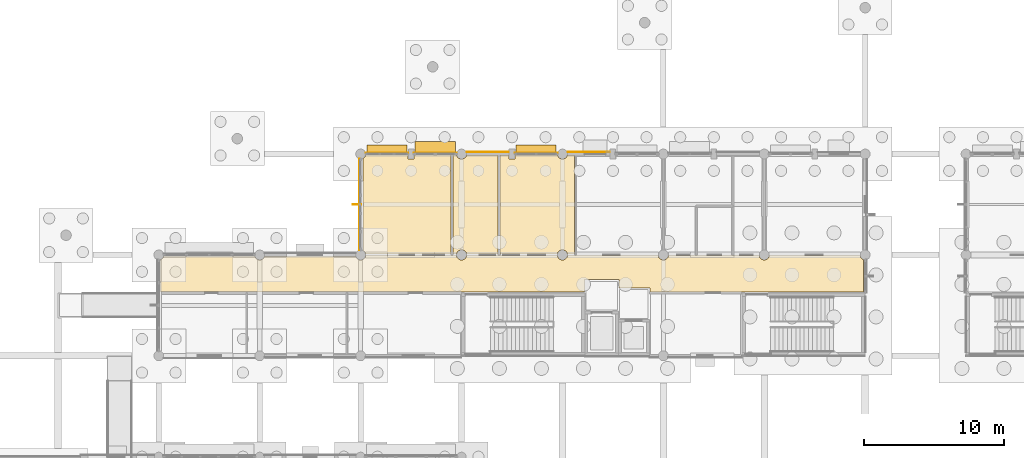
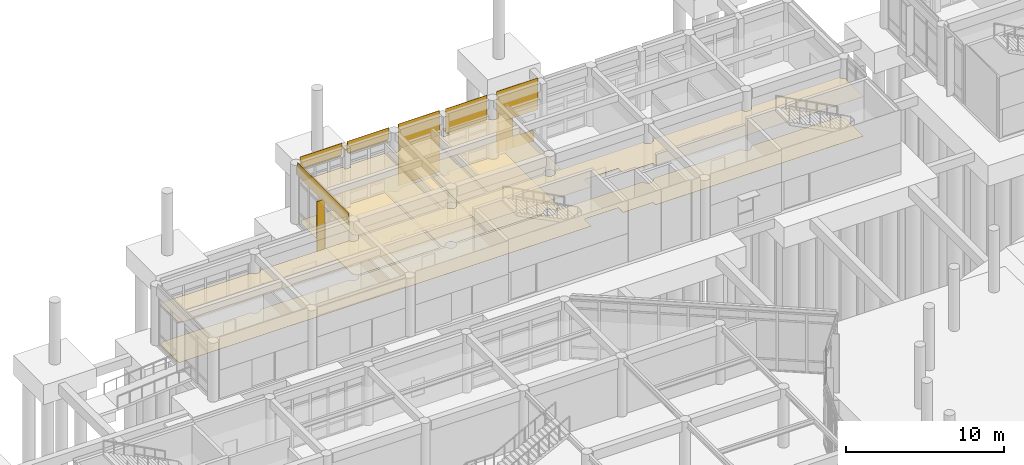
# One storey, part 91 of 103: 16 coverings, 4 shading devices.
"""IFC4 building model written with IfcOpenShell, lengths in metres."""

from ifc_helpers import new_model, si_unit, direction, frame, origin, origin_2d, place, context, subcontext, project, spatial, polyline, rectangle, outline, extrude, material, layer, layer_set, type_object, element, save


model = new_model("IFC4")

# Units and contexts
model_context = context("Model", 3, precision=1e-05, world=origin(), true_north=direction((0.0, 1.0)))
body_context = subcontext(model_context, "Body", "Model", "MODEL_VIEW")
ifc_project = project(units=[si_unit("LENGTHUNIT", "METRE"), si_unit("AREAUNIT", "SQUARE_METRE"), si_unit("VOLUMEUNIT", "CUBIC_METRE"), si_unit("PLANEANGLEUNIT", "RADIAN"), si_unit("MASSUNIT", "GRAM", prefix="KILO")], contexts=[model_context])

# Site, building, storey
site_placement = place(None, origin())
site = spatial("IfcSite", under=ifc_project, at=site_placement, CompositionType="ELEMENT")
building_placement = place(site_placement, origin())
building = spatial("IfcBuilding", under=site, at=building_placement, Name="Namkhue Oval Health Centre", CompositionType="ELEMENT")
storey_placement = place(building_placement, origin())
storey = spatial("IfcBuildingStorey", under=building, at=storey_placement, Name="L00", CompositionType="ELEMENT", Elevation=0.0)

# Coverings
ifc_material_1 = material(Name="Acoustic mineral-fibre cleanroom ceiling", Category="gypsum")
ifc_layer_1 = layer(ifc_material_1, 0.02001953125)
ifc_layer_set_1 = layer_set([ifc_layer_1], Name="Acoustic mineral-fibre cleanroom ceiling")
covering_type_1 = type_object("IfcCoveringType", Name="ACOUSTIC CLEANROOM CEILING 20", PredefinedType="CEILING", material=ifc_layer_set_1)
covering_1_placement = place(storey_placement, frame((0.0, 0.0, 3.050048828125)))
element("IfcCovering", 1, at=covering_1_placement, inside=storey, type_object=covering_type_1, Name="Acoustic Ceiling L00-V2-C1 V2 Clinical Corridor", PredefinedType="CEILING", context=body_context, shape_type="SweptSolid", body=[
    extrude(outline(polyline([(57.245361328125, 97.159912109375), (57.252197265625, 97.106689453125), (57.2880859375, 97.02001953125), (57.345458984375, 96.9453125), (57.419921875, 96.88818359375), (57.5068359375, 96.852294921875), (57.60009765625, 96.840087890625), (57.693115234375, 96.852294921875), (57.780029296875, 96.88818359375), (57.8544921875, 96.9453125), (57.911865234375, 97.02001953125), (57.94775390625, 97.106689453125), (57.95458984375, 97.159912109375), (64.4453125, 97.159912109375), (64.452392578125, 97.106689453125), (64.48828125, 97.02001953125), (64.54541015625, 96.9453125), (64.6201171875, 96.88818359375), (64.706787109375, 96.852294921875), (64.800048828125, 96.840087890625), (64.893310546875, 96.852294921875), (64.97998046875, 96.88818359375), (65.0546875, 96.9453125), (65.11181640625, 97.02001953125), (65.147705078125, 97.106689453125), (65.15478515625, 97.159912109375), (71.645263671875, 97.159912109375), (71.65234375, 97.106689453125), (71.688232421875, 97.02001953125), (71.745361328125, 96.9453125), (71.820068359375, 96.88818359375), (71.90673828125, 96.852294921875), (72.0, 96.840087890625), (72.09326171875, 96.852294921875), (72.179931640625, 96.88818359375), (72.254638671875, 96.9453125), (72.311767578125, 97.02001953125), (72.34765625, 97.106689453125), (72.354736328125, 97.159912109375), (78.84521484375, 97.159912109375), (78.852294921875, 97.106689453125), (78.88818359375, 97.02001953125), (78.9453125, 96.9453125), (79.02001953125, 96.88818359375), (79.106689453125, 96.852294921875), (79.199951171875, 96.840087890625), (79.293212890625, 96.852294921875), (79.3798828125, 96.88818359375), (79.45458984375, 96.9453125), (79.51171875, 97.02001953125), (79.547607421875, 97.106689453125), (79.5546875, 97.159912109375), (86.04541015625, 97.159912109375), (86.05224609375, 97.106689453125), (86.088134765625, 97.02001953125), (86.1455078125, 96.9453125), (86.219970703125, 96.88818359375), (86.27490234375, 96.865478515625), (86.27490234375, 94.5400390625), (71.0400390625, 94.5400390625), (71.039794921875, 94.803955078125), (71.037109375, 94.815185546875), (71.0283203125, 94.828369140625), (71.015380859375, 94.8369140625), (71.00390625, 94.83984375), (68.840087890625, 94.840087890625), (68.83984375, 95.40380859375), (68.8369140625, 95.415283203125), (68.828369140625, 95.42822265625), (68.815185546875, 95.43701171875), (68.800048828125, 95.43994140625), (66.39990234375, 95.43994140625), (66.384765625, 95.43701171875), (66.36669921875, 95.422119140625), (66.360107421875, 95.39990234375), (66.360107421875, 94.5400390625), (36.125, 94.5400390625), (36.125, 96.865478515625), (36.179931640625, 96.88818359375), (36.254638671875, 96.9453125), (36.311767578125, 97.02001953125), (36.334716796875, 97.074951171875), (42.865478515625, 97.074951171875), (42.88818359375, 97.02001953125), (42.9453125, 96.9453125), (43.02001953125, 96.88818359375), (43.106689453125, 96.852294921875), (43.199951171875, 96.840087890625), (43.293212890625, 96.852294921875), (43.3798828125, 96.88818359375), (43.45458984375, 96.9453125), (43.51171875, 97.02001953125), (43.53466796875, 97.074951171875), (50.0654296875, 97.074951171875), (50.088134765625, 97.02001953125), (50.1455078125, 96.9453125), (50.219970703125, 96.88818359375), (50.306884765625, 96.852294921875), (50.39990234375, 96.840087890625), (50.4931640625, 96.852294921875), (50.580078125, 96.88818359375), (50.654541015625, 96.9453125), (50.7119140625, 97.02001953125), (50.747802734375, 97.106689453125), (50.754638671875, 97.159912109375), (57.245361328125, 97.159912109375)])), origin(), (0.0, 0.0, 1.0), 0.02001953125),
])
covering_2_placement = place(storey_placement, frame((0.0, 0.0, 3.050048828125)))
element("IfcCovering", 2, at=covering_2_placement, inside=storey, type_object=covering_type_1, Name="Acoustic Ceiling L00-201 Infectious Isolation Clinic", PredefinedType="CEILING", context=body_context, shape_type="SweptSolid", body=[
    extrude(outline(polyline([(50.74951171875, 97.280029296875), (50.747802734375, 97.293212890625), (50.7119140625, 97.3798828125), (50.654541015625, 97.45458984375), (50.580078125, 97.51171875), (50.554931640625, 97.522216796875), (50.554931640625, 104.077880859375), (50.580078125, 104.088134765625), (50.654541015625, 104.1455078125), (50.7119140625, 104.219970703125), (50.748779296875, 104.31494140625), (53.7900390625, 104.31494140625), (53.7900390625, 104.0400390625), (54.2099609375, 104.0400390625), (54.2099609375, 104.31494140625), (56.85009765625, 104.31494140625), (56.85009765625, 97.280029296875), (50.74951171875, 97.280029296875)])), origin(), (0.0, 0.0, 1.0), 0.02001953125),
])
covering_3_placement = place(storey_placement, frame((0.0, 0.0, 3.050048828125)))
element("IfcCovering", 3, at=covering_3_placement, inside=storey, type_object=covering_type_1, Name="Acoustic Ceiling L00-202 Clean Medical Supply Store", PredefinedType="CEILING", context=body_context, shape_type="SweptSolid", body=[
    extrude(outline(polyline([(57.949462890625, 97.280029296875), (57.94775390625, 97.293212890625), (57.911865234375, 97.3798828125), (57.8544921875, 97.45458984375), (57.780029296875, 97.51171875), (57.693115234375, 97.547607421875), (57.60009765625, 97.56005859375), (57.5068359375, 97.547607421875), (57.419921875, 97.51171875), (57.345458984375, 97.45458984375), (57.2880859375, 97.3798828125), (57.252197265625, 97.293212890625), (57.25048828125, 97.280029296875), (56.989990234375, 97.280029296875), (56.989990234375, 104.31494140625), (57.251220703125, 104.31494140625), (57.2880859375, 104.219970703125), (57.345458984375, 104.1455078125), (57.419921875, 104.088134765625), (57.5068359375, 104.05224609375), (57.60009765625, 104.0400390625), (57.693115234375, 104.05224609375), (57.780029296875, 104.088134765625), (57.8544921875, 104.1455078125), (57.911865234375, 104.219970703125), (57.94873046875, 104.31494140625), (60.217041015625, 104.31494140625), (60.217041015625, 97.280029296875), (57.949462890625, 97.280029296875)])), origin(), (0.0, 0.0, 1.0), 0.02001953125),
])
covering_4_placement = place(storey_placement, frame((0.0, 0.0, 3.050048828125)))
element("IfcCovering", 4, at=covering_4_placement, inside=storey, type_object=covering_type_1, Name="Acoustic Ceiling L00-203 Paediatric Consultation Room", PredefinedType="CEILING", context=body_context, shape_type="SweptSolid", body=[
    extrude(outline(polyline([(65.1494140625, 97.280029296875), (65.147705078125, 97.293212890625), (65.11181640625, 97.3798828125), (65.0546875, 97.45458984375), (64.97998046875, 97.51171875), (64.893310546875, 97.547607421875), (64.800048828125, 97.56005859375), (64.706787109375, 97.547607421875), (64.6201171875, 97.51171875), (64.54541015625, 97.45458984375), (64.48828125, 97.3798828125), (64.452392578125, 97.293212890625), (64.450439453125, 97.280029296875), (60.35693359375, 97.280029296875), (60.35693359375, 104.31494140625), (60.989990234375, 104.31494140625), (60.989990234375, 104.0400390625), (61.409912109375, 104.0400390625), (61.409912109375, 104.31494140625), (64.451171875, 104.31494140625), (64.48828125, 104.219970703125), (64.54541015625, 104.1455078125), (64.6201171875, 104.088134765625), (64.706787109375, 104.05224609375), (64.800048828125, 104.0400390625), (64.893310546875, 104.05224609375), (64.97998046875, 104.088134765625), (65.0546875, 104.1455078125), (65.11181640625, 104.219970703125), (65.148681640625, 104.31494140625), (65.660888671875, 104.31494140625), (65.660888671875, 97.280029296875), (65.1494140625, 97.280029296875)])), origin(), (0.0, 0.0, 1.0), 0.02001953125),
])
ifc_material_2 = material(Name="Homogeneous anti-bacterial clinical vinyl flooring", Category="plastic")
ifc_layer_2 = layer(ifc_material_2, 0.014892578125)
ifc_layer_set_2 = layer_set([ifc_layer_2], Name="Homogeneous anti-bacterial clinical vinyl flooring")
covering_type_2 = type_object("IfcCoveringType", Name="CLINICAL ANTIBACTERIAL VINYL FLOORING 15", PredefinedType="FLOORING", material=ifc_layer_set_2)
covering_5_placement = place(storey_placement, origin())
element("IfcCovering", 5, at=covering_5_placement, inside=storey, type_object=covering_type_2, Name="Clinical Flooring L00-V2-C1 V2 Clinical Corridor", PredefinedType="FLOORING", context=body_context, shape_type="SweptSolid", body=[
    extrude(outline(polyline([(57.245361328125, 97.159912109375), (57.252197265625, 97.106689453125), (57.2880859375, 97.02001953125), (57.345458984375, 96.9453125), (57.419921875, 96.88818359375), (57.5068359375, 96.852294921875), (57.60009765625, 96.840087890625), (57.693115234375, 96.852294921875), (57.780029296875, 96.88818359375), (57.8544921875, 96.9453125), (57.911865234375, 97.02001953125), (57.94775390625, 97.106689453125), (57.95458984375, 97.159912109375), (64.4453125, 97.159912109375), (64.452392578125, 97.106689453125), (64.48828125, 97.02001953125), (64.54541015625, 96.9453125), (64.6201171875, 96.88818359375), (64.706787109375, 96.852294921875), (64.800048828125, 96.840087890625), (64.893310546875, 96.852294921875), (64.97998046875, 96.88818359375), (65.0546875, 96.9453125), (65.11181640625, 97.02001953125), (65.147705078125, 97.106689453125), (65.15478515625, 97.159912109375), (71.645263671875, 97.159912109375), (71.65234375, 97.106689453125), (71.688232421875, 97.02001953125), (71.745361328125, 96.9453125), (71.820068359375, 96.88818359375), (71.90673828125, 96.852294921875), (72.0, 96.840087890625), (72.09326171875, 96.852294921875), (72.179931640625, 96.88818359375), (72.254638671875, 96.9453125), (72.311767578125, 97.02001953125), (72.34765625, 97.106689453125), (72.354736328125, 97.159912109375), (78.84521484375, 97.159912109375), (78.852294921875, 97.106689453125), (78.88818359375, 97.02001953125), (78.9453125, 96.9453125), (79.02001953125, 96.88818359375), (79.106689453125, 96.852294921875), (79.199951171875, 96.840087890625), (79.293212890625, 96.852294921875), (79.3798828125, 96.88818359375), (79.45458984375, 96.9453125), (79.51171875, 97.02001953125), (79.547607421875, 97.106689453125), (79.5546875, 97.159912109375), (86.04541015625, 97.159912109375), (86.05224609375, 97.106689453125), (86.088134765625, 97.02001953125), (86.1455078125, 96.9453125), (86.219970703125, 96.88818359375), (86.27490234375, 96.865478515625), (86.27490234375, 94.5400390625), (71.0400390625, 94.5400390625), (71.039794921875, 94.803955078125), (71.037109375, 94.815185546875), (71.0283203125, 94.828369140625), (71.015380859375, 94.8369140625), (71.00390625, 94.83984375), (68.840087890625, 94.840087890625), (68.83984375, 95.40380859375), (68.8369140625, 95.415283203125), (68.828369140625, 95.42822265625), (68.815185546875, 95.43701171875), (68.800048828125, 95.43994140625), (66.39990234375, 95.43994140625), (66.384765625, 95.43701171875), (66.36669921875, 95.422119140625), (66.360107421875, 95.39990234375), (66.360107421875, 94.5400390625), (36.125, 94.5400390625), (36.125, 96.865478515625), (36.179931640625, 96.88818359375), (36.254638671875, 96.9453125), (36.311767578125, 97.02001953125), (36.334716796875, 97.074951171875), (42.865478515625, 97.074951171875), (42.88818359375, 97.02001953125), (42.9453125, 96.9453125), (43.02001953125, 96.88818359375), (43.106689453125, 96.852294921875), (43.199951171875, 96.840087890625), (43.293212890625, 96.852294921875), (43.3798828125, 96.88818359375), (43.45458984375, 96.9453125), (43.51171875, 97.02001953125), (43.53466796875, 97.074951171875), (50.0654296875, 97.074951171875), (50.088134765625, 97.02001953125), (50.1455078125, 96.9453125), (50.219970703125, 96.88818359375), (50.306884765625, 96.852294921875), (50.39990234375, 96.840087890625), (50.4931640625, 96.852294921875), (50.580078125, 96.88818359375), (50.654541015625, 96.9453125), (50.7119140625, 97.02001953125), (50.747802734375, 97.106689453125), (50.754638671875, 97.159912109375), (57.245361328125, 97.159912109375)])), origin(), (0.0, 0.0, 1.0), 0.014892578125),
])
covering_6_placement = place(storey_placement, origin())
element("IfcCovering", 6, at=covering_6_placement, inside=storey, type_object=covering_type_2, Name="Clinical Flooring L00-201 Infectious Isolation Clinic", PredefinedType="FLOORING", context=body_context, shape_type="SweptSolid", body=[
    extrude(outline(polyline([(50.74951171875, 97.280029296875), (50.747802734375, 97.293212890625), (50.7119140625, 97.3798828125), (50.654541015625, 97.45458984375), (50.580078125, 97.51171875), (50.554931640625, 97.522216796875), (50.554931640625, 104.077880859375), (50.580078125, 104.088134765625), (50.654541015625, 104.1455078125), (50.7119140625, 104.219970703125), (50.748779296875, 104.31494140625), (53.7900390625, 104.31494140625), (53.7900390625, 104.0400390625), (54.2099609375, 104.0400390625), (54.2099609375, 104.31494140625), (56.85009765625, 104.31494140625), (56.85009765625, 97.280029296875), (50.74951171875, 97.280029296875)])), origin(), (0.0, 0.0, 1.0), 0.014892578125),
])
covering_7_placement = place(storey_placement, origin())
element("IfcCovering", 7, at=covering_7_placement, inside=storey, type_object=covering_type_2, Name="Clinical Flooring L00-202 Clean Medical Supply Store", PredefinedType="FLOORING", context=body_context, shape_type="SweptSolid", body=[
    extrude(outline(polyline([(57.949462890625, 97.280029296875), (57.94775390625, 97.293212890625), (57.911865234375, 97.3798828125), (57.8544921875, 97.45458984375), (57.780029296875, 97.51171875), (57.693115234375, 97.547607421875), (57.60009765625, 97.56005859375), (57.5068359375, 97.547607421875), (57.419921875, 97.51171875), (57.345458984375, 97.45458984375), (57.2880859375, 97.3798828125), (57.252197265625, 97.293212890625), (57.25048828125, 97.280029296875), (56.989990234375, 97.280029296875), (56.989990234375, 104.31494140625), (57.251220703125, 104.31494140625), (57.2880859375, 104.219970703125), (57.345458984375, 104.1455078125), (57.419921875, 104.088134765625), (57.5068359375, 104.05224609375), (57.60009765625, 104.0400390625), (57.693115234375, 104.05224609375), (57.780029296875, 104.088134765625), (57.8544921875, 104.1455078125), (57.911865234375, 104.219970703125), (57.94873046875, 104.31494140625), (60.217041015625, 104.31494140625), (60.217041015625, 97.280029296875), (57.949462890625, 97.280029296875)])), origin(), (0.0, 0.0, 1.0), 0.014892578125),
])
covering_8_placement = place(storey_placement, origin())
element("IfcCovering", 8, at=covering_8_placement, inside=storey, type_object=covering_type_2, Name="Clinical Flooring L00-203 Paediatric Consultation Room", PredefinedType="FLOORING", context=body_context, shape_type="SweptSolid", body=[
    extrude(outline(polyline([(65.1494140625, 97.280029296875), (65.147705078125, 97.293212890625), (65.11181640625, 97.3798828125), (65.0546875, 97.45458984375), (64.97998046875, 97.51171875), (64.893310546875, 97.547607421875), (64.800048828125, 97.56005859375), (64.706787109375, 97.547607421875), (64.6201171875, 97.51171875), (64.54541015625, 97.45458984375), (64.48828125, 97.3798828125), (64.452392578125, 97.293212890625), (64.450439453125, 97.280029296875), (60.35693359375, 97.280029296875), (60.35693359375, 104.31494140625), (60.989990234375, 104.31494140625), (60.989990234375, 104.0400390625), (61.409912109375, 104.0400390625), (61.409912109375, 104.31494140625), (64.451171875, 104.31494140625), (64.48828125, 104.219970703125), (64.54541015625, 104.1455078125), (64.6201171875, 104.088134765625), (64.706787109375, 104.05224609375), (64.800048828125, 104.0400390625), (64.893310546875, 104.05224609375), (64.97998046875, 104.088134765625), (65.0546875, 104.1455078125), (65.11181640625, 104.219970703125), (65.148681640625, 104.31494140625), (65.660888671875, 104.31494140625), (65.660888671875, 97.280029296875), (65.1494140625, 97.280029296875)])), origin(), (0.0, 0.0, 1.0), 0.014892578125),
])

# Shading devices
ifc_material_3 = material(Name="Anodised aluminium EN AW-6063 T6", Category="aluminium")
ifc_layer_3 = layer(ifc_material_3, 0.06005859375)
ifc_layer_set_3 = layer_set([ifc_layer_3], Name="Anodised aluminium EN AW-6063 T6")
shading_device_type_1 = type_object("IfcShadingDeviceType", Name="MONSOON SUN LOUVRE 900", PredefinedType="JALOUSIE", material=ifc_layer_set_3)
shading_device_1_placement = place(storey_placement, frame((55.7255859375, 104.85009765625, 3.840087890625), z_axis=(0.0, 0.0, 1.0), x_axis=(-1.0, 0.0, 0.0)))
element("IfcShadingDevice", 9, at=shading_device_1_placement, inside=storey, type_object=shading_device_type_1, Name="Volume V2 L00 Horizontal Monsoon Sun Louvre 54", PredefinedType="JALOUSIE", context=body_context, shape_type="SweptSolid", body=[
    extrude(rectangle(XDim=2.85888671875, YDim=0.89990234375, at=origin_2d()), origin(), (0.0, 0.0, 1.0), 0.06005859375),
])
ifc_layer_4 = layer(ifc_material_3, 0.050048828125)
ifc_layer_set_4 = layer_set([ifc_layer_4], Name="Anodised aluminium EN AW-6063 T6")
shading_device_type_2 = type_object("IfcShadingDeviceType", Name="STORM SHUTTER LOUVRE 650", PredefinedType="SHUTTER", material=ifc_layer_set_4)
for number, where, z_axis, x_axis, name in (
    (10, (62.925537109375, 104.72509765625, 2.830078125), (0.0, 0.0, 1.0), (-1.0, 0.0, 0.0), "Volume V2 L00 Horizontal Monsoon Sun Louvre 53"),
    (11, (52.2744140625, 104.72509765625, 3.840087890625), (0.0, 0.0, 1.0), (-1.0, 0.0, 0.0), "Volume V2 L00 Horizontal Monsoon Sun Louvre 55"),
):
    element("IfcShadingDevice", number, at=place(storey_placement, frame(where, z_axis=z_axis, x_axis=x_axis)), inside=storey, type_object=shading_device_type_2, Name=name, PredefinedType="SHUTTER", context=body_context, shape_type="SweptSolid", body=[
        extrude(rectangle(XDim=2.85888671875, YDim=0.64990234375, at=origin_2d()), origin(), (0.0, 0.0, 1.0), 0.06005859375),
    ])
shading_device_type_3 = type_object("IfcShadingDeviceType", Name="VERTICAL SOLAR FIN 600", PredefinedType="USERDEFINED", material=ifc_material_3)
shading_device_2_placement = place(storey_placement, frame((50.139892578125, 100.800048828125, 0.0), z_axis=(0.0, 0.0, 1.0), x_axis=(-1.0, 0.0, 0.0)))
element("IfcShadingDevice", 12, at=shading_device_2_placement, inside=storey, type_object=shading_device_type_3, Name="Volume V2 L00 Extruded Aluminium Solar Fin 56", ObjectType="SOLAR FIN", PredefinedType="USERDEFINED", context=body_context, shape_type="SweptSolid", body=[
    extrude(rectangle(XDim=0.60009765625, YDim=0.06005859375, at=origin_2d()), origin(), (0.0, 0.0, 1.0), 3.909912109375),
])

# Coverings
ifc_material_4 = material(Name="White glass-fibre reinforced concrete GRC rainscreen cladding", Category="concrete")
ifc_layer_5 = layer(ifc_material_4, 0.02490234375)
ifc_layer_set_5 = layer_set([ifc_layer_5], Name="White glass-fibre reinforced concrete GRC rainscreen cladding")
covering_type_3 = type_object("IfcCoveringType", Name="WHITE GRC RAINSCREEN CLADDING 25", PredefinedType="CLADDING", material=ifc_layer_set_5)
covering_9_placement = place(storey_placement, frame((66.674560546875, 104.537109375, 2.3349609375), z_axis=(0.0, 0.0, 1.0), x_axis=(-1.0, 0.0, 0.0)))
element("IfcCovering", 13, at=covering_9_placement, inside=storey, type_object=covering_type_3, Name="Volume V2 L00 Facade 24 White GRC Cladding 1", PredefinedType="CLADDING", context=body_context, shape_type="SweptSolid", body=[
    extrude(rectangle(XDim=3.01904296875, YDim=0.02490234375, at=origin_2d()), origin(), (0.0, 0.0, 1.0), 2.455078125),
])
covering_10_placement = place(storey_placement, frame((67.12451171875, 104.537109375, 0.010009765625), z_axis=(0.0, 0.0, 1.0), x_axis=(-1.0, 0.0, 0.0)))
element("IfcCovering", 14, at=covering_10_placement, inside=storey, type_object=covering_type_3, Name="Volume V2 L00 Facade 24 White GRC Cladding 3", PredefinedType="CLADDING", context=body_context, shape_type="SweptSolid", body=[
    extrude(rectangle(XDim=1.52001953125, YDim=0.02490234375, at=origin_2d()), origin(), (0.0, 0.0, 1.0), 0.875),
])
covering_11_placement = place(storey_placement, frame((65.76220703125, 104.537109375, 0.009765625), z_axis=(0.0, 0.0, 1.0), x_axis=(-1.0, 0.0, 0.0)))
element("IfcCovering", 15, at=covering_11_placement, inside=storey, type_object=covering_type_3, Name="Volume V2 L00 Facade 24 White GRC Cladding 4", PredefinedType="CLADDING", context=body_context, shape_type="SweptSolid", body=[
    extrude(rectangle(XDim=1.194580078125, YDim=0.02490234375, at=origin_2d()), origin(), (0.0, 0.0, 1.0), 2.320068359375),
])
covering_12_placement = place(storey_placement, frame((62.925537109375, 104.488525390625, 2.885009765625), z_axis=(0.0, 0.0, 1.0), x_axis=(-1.0, 0.0, 0.0)))
element("IfcCovering", 16, at=covering_12_placement, inside=storey, type_object=covering_type_3, Name="Volume V2 L00 Curtain Wall Spandrel Cladding 41", PredefinedType="CLADDING", context=body_context, shape_type="SweptSolid", body=[
    extrude(rectangle(XDim=3.049072265625, YDim=0.02490234375, at=origin_2d()), origin(), (0.0, 0.0, 1.0), 1.9150390625),
])
covering_13_placement = place(storey_placement, frame((59.474609375, 104.5419921875, 0.009765625), z_axis=(0.0, 0.0, 1.0), x_axis=(-1.0, 0.0, 0.0)))
element("IfcCovering", 17, at=covering_13_placement, inside=storey, type_object=covering_type_3, Name="Volume V2 L00 Facade 25 White GRC Cladding 1", PredefinedType="CLADDING", context=body_context, shape_type="SweptSolid", body=[
    extrude(rectangle(XDim=3.01904296875, YDim=0.02490234375, at=origin_2d()), origin(), (0.0, 0.0, 1.0), 4.780029296875),
])
for number, where, z_axis, x_axis, name in (
    (18, (55.7255859375, 104.488525390625, 3.89501953125), (0.0, 0.0, 1.0), (-1.0, 0.0, 0.0), "Volume V2 L00 Curtain Wall Spandrel Cladding 42"),
    (19, (52.2744140625, 104.488525390625, 3.89501953125), (0.0, 0.0, 1.0), (-1.0, 0.0, 0.0), "Volume V2 L00 Curtain Wall Spandrel Cladding 43"),
):
    element("IfcCovering", number, at=place(storey_placement, frame(where, z_axis=z_axis, x_axis=x_axis)), inside=storey, type_object=covering_type_3, Name=name, PredefinedType="CLADDING", context=body_context, shape_type="SweptSolid", body=[
        extrude(rectangle(XDim=3.049072265625, YDim=0.02490234375, at=origin_2d()), origin(), (0.0, 0.0, 1.0), 0.905029296875),
    ])
covering_14_placement = place(storey_placement, frame((50.3115234375, 100.800048828125, 3.89501953125), z_axis=(0.0, 0.0, 1.0), x_axis=(0.0, -1.0, 0.0)))
element("IfcCovering", 20, at=covering_14_placement, inside=storey, type_object=covering_type_3, Name="Volume V2 L00 Curtain Wall Spandrel Cladding 44", PredefinedType="CLADDING", context=body_context, shape_type="SweptSolid", body=[
    extrude(rectangle(XDim=6.5, YDim=0.02490234375, at=origin_2d()), origin(), (0.0, 0.0, 1.0), 0.905029296875),
])

save(model, "model.ifc")
